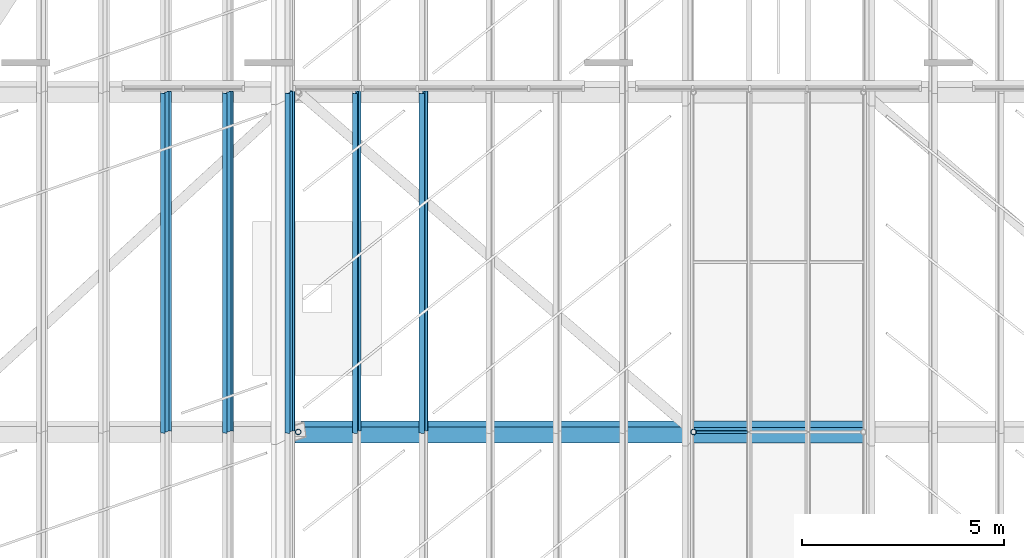
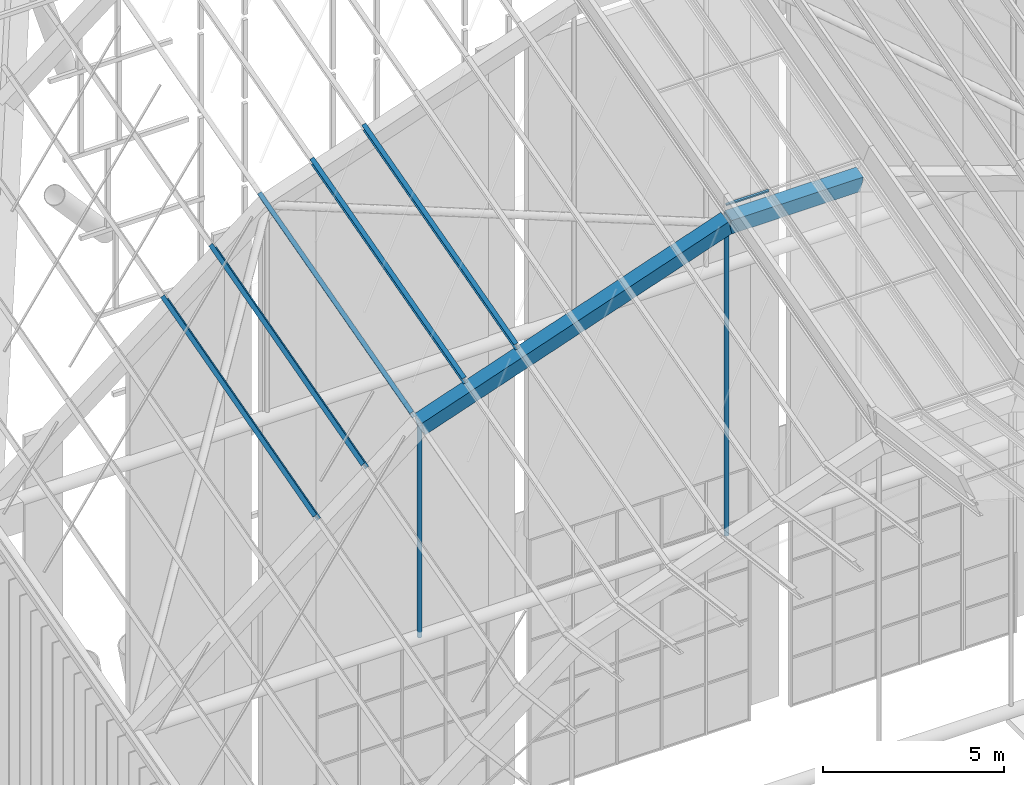
# One storey, part 52 of 126: 8 members, 2 beams.
"""IFC4 building model written with IfcOpenShell, lengths in metres."""

from ifc_helpers import new_model, si_unit, direction, frame, origin, origin_2d, place, context, subcontext, project, spatial, polyline, rectangle, hollow_circle, i_section, outline, extrude, material, material_profile, profile_set, type_object, element, save


model = new_model("IFC4")

# Units and contexts
model_context = context("Model", 3, precision=1e-05, world=origin(), true_north=direction((0.0, 1.0)))
body_context = subcontext(model_context, "Body", "Model", "MODEL_VIEW")
ifc_project = project(units=[si_unit("LENGTHUNIT", "METRE"), si_unit("AREAUNIT", "SQUARE_METRE"), si_unit("VOLUMEUNIT", "CUBIC_METRE"), si_unit("PLANEANGLEUNIT", "RADIAN"), si_unit("MASSUNIT", "GRAM", prefix="KILO")], contexts=[model_context])

# Site, building, storey
site_placement = place(None, origin())
site = spatial("IfcSite", under=ifc_project, at=site_placement, CompositionType="ELEMENT")
building_placement = place(site_placement, origin())
building = spatial("IfcBuilding", under=site, at=building_placement, Name="Sava Quay Ferry Terminal", CompositionType="ELEMENT")
storey_placement = place(building_placement, frame((0.0, 0.0, 15.0)))
storey = spatial("IfcBuildingStorey", under=building, at=storey_placement, Name="L03", CompositionType="ELEMENT", Elevation=15.0)

# Beams
ifc_material_1 = material(Name="Steel S355", Category="steel")
ifc_material_profile_1 = material_profile(ifc_material_1, outline(polyline([(-0.199951171875, -0.300048828125), (0.199951171875, -0.300048828125), (0.199951171875, 0.300048828125), (-0.199951171875, 0.300048828125), (-0.199951171875, -0.300048828125)]), holes=[polyline([(-0.175048828125, -0.27490234375), (-0.175048828125, 0.27490234375), (0.175048828125, 0.27490234375), (0.175048828125, -0.27490234375), (-0.175048828125, -0.27490234375)])]), Name="Box 600x400x25 built-up")
ifc_profile_set_1 = profile_set([ifc_material_profile_1], Name="Steel S355")
beam_type = type_object("IfcBeamType", Name="D folded rib Box 600x400x25", PredefinedType="BEAM", material=ifc_profile_set_1)
beam_1_placement = place(storey_placement, frame((51.1298828125, 92.39990234375, 20.460205078125), z_axis=(0.945520775213, 0.0, 0.325561766247), x_axis=(-0.081528715924, 0.968136073541, 0.236781780523)))
element("IfcBeam", 1, at=beam_1_placement, inside=storey, type_object=beam_type, Name="Departure hall folded rib R5 seg 2", PredefinedType="BEAM", context=body_context, shape_type="SweptSolid", body=[
    extrude(outline(polyline([(-0.199951171875, -0.300048828125), (0.199951171875, -0.300048828125), (0.199951171875, 0.300048828125), (-0.199951171875, 0.300048828125), (-0.199951171875, -0.300048828125)]), holes=[polyline([(-0.175048828125, -0.27490234375), (-0.175048828125, 0.27490234375), (0.175048828125, 0.27490234375), (0.175048828125, -0.27490234375), (-0.175048828125, -0.27490234375)])]), origin(), (0.0, 0.0, 1.0), 10.3330078125),
])
beam_2_placement = place(storey_placement, frame((60.89990234375, 92.39990234375, 23.82421875), z_axis=(1.0, 0.0, 0.0), x_axis=(0.0, 0.964556832817, 0.263875190699)))
element("IfcBeam", 2, at=beam_2_placement, inside=storey, type_object=beam_type, Name="Departure hall folded rib R5 seg 3", PredefinedType="BEAM", context=body_context, shape_type="SweptSolid", body=[
    extrude(outline(polyline([(-0.199951171875, -0.300048828125), (0.199951171875, -0.300048828125), (0.199951171875, 0.300048828125), (-0.199951171875, 0.300048828125), (-0.199951171875, -0.300048828125)]), holes=[polyline([(-0.175048828125, -0.27490234375), (-0.175048828125, 0.27490234375), (0.175048828125, 0.27490234375), (0.175048828125, -0.27490234375), (-0.175048828125, -0.27490234375)])]), origin(), (0.0, 0.0, 1.0), 4.2001953125),
])

# Members
ifc_material_2 = material(Name="Aluminium EN AW-6063 T6", Category="aluminium")
ifc_material_profile_2 = material_profile(ifc_material_2, rectangle(XDim=0.06005859375, YDim=0.06005859375, at=origin_2d()), Name="Bar 60 x 60")
ifc_profile_set_2 = profile_set([ifc_material_profile_2], Name="Aluminium EN AW-6063 T6")
member_type_1 = type_object("IfcMemberType", Name="Glazing bar 60x60", PredefinedType="USERDEFINED", material=ifc_profile_set_2)
member_1_placement = place(storey_placement, frame((60.883056640625, 92.39990234375, 24.4462890625), z_axis=(1.0, 0.0, 0.0), x_axis=(0.0, 0.964556832817, 0.263875190699)))
element("IfcMember", 3, at=member_1_placement, inside=storey, type_object=member_type_1, Name="Departure hall glazing bar D-R5-GT2.0", ObjectType="GLAZING BAR", PredefinedType="USERDEFINED", context=body_context, shape_type="SweptSolid", body=[
    extrude(rectangle(XDim=0.06005859375, YDim=0.06005859375, at=origin_2d()), origin(), (0.0, 0.0, 1.0), 1.3544921875),
])
ifc_material_3 = material(Name="Steel S355", Category="steel")
ifc_material_profile_3 = material_profile(ifc_material_3, i_section(OverallWidth=0.135009765625, OverallDepth=0.27001953125, WebThickness=0.006591796875, FlangeThickness=0.01025390625, at=origin_2d()), Name="IPE 270")
ifc_profile_set_3 = profile_set([ifc_material_profile_3], Name="Steel S355")
member_type_2 = type_object("IfcMemberType", Name="Roof purlin IPE 270", PredefinedType="PURLIN", material=ifc_profile_set_3)
for number, where, z_axis, x_axis, name in (
    (4, (47.86279296875, 92.39990234375, 18.47216796875), (0.0, 0.964555206992, 0.26388113359), (-0.798620025874, 0.158813052655, -0.580503633562), "Departure hall purlin bay 6 M0.4"),
    (5, (49.39404296875, 92.39990234375, 19.66845703125), (0.0, 0.964555206992, 0.26388113359), (-0.798620025874, 0.158813052655, -0.580503633562), "Departure hall purlin bay 6 M0.5"),
    (6, (50.92529296875, 92.39990234375, 20.86474609375), (0.0, 0.964555206992, 0.26388113359), (-0.885499005285, 0.122610065566, -0.448172158284), "Departure hall purlin bay 6 V1"),
    (7, (52.575927734375, 92.39990234375, 21.43310546875), (0.0, 0.964555206992, 0.26388113359), (-0.949027169883, 0.083173822518, -0.304022278908), "Departure hall purlin bay 6 M1.1"),
    (8, (54.2265625, 92.39990234375, 22.001708984375), (0.0, 0.964562342049, 0.263855051686), (-0.949027169883, 0.083165601651, -0.304024527837), "Departure hall purlin bay 6 M1.2"),
):
    element("IfcMember", number, at=place(storey_placement, frame(where, z_axis=z_axis, x_axis=x_axis)), inside=storey, type_object=member_type_2, Name=name, PredefinedType="PURLIN", context=body_context, shape_type="SweptSolid", body=[
        extrude(i_section(OverallWidth=0.135009765625, OverallDepth=0.27001953125, WebThickness=0.006591796875, FlangeThickness=0.01025390625, at=origin_2d()), origin(), (0.0, 0.0, 1.0), 8.708740234375),
    ])
ifc_material_4 = material(Name="Steel S355", Category="steel")
ifc_material_profile_4 = material_profile(ifc_material_4, hollow_circle(Radius=0.06982421875, WallThickness=0.008056640625, at=origin_2d()), Name="CHS 139.7 x 8.0")
ifc_profile_set_4 = profile_set([ifc_material_profile_4], Name="Steel S355")
member_type_3 = type_object("IfcMemberType", Name="Tie hanger CHS 139.7x8", PredefinedType="USERDEFINED", material=ifc_profile_set_4)
member_2_placement = place(storey_placement, frame((51.1298828125, 92.39990234375, 13.326904296875), z_axis=(0.0, 0.0, 1.0), x_axis=(1.0, 0.0, 0.0)))
element("IfcMember", 9, at=member_2_placement, inside=storey, type_object=member_type_3, Name="Departure hall tie hanger R5 V1", ObjectType="TIE HANGER", PredefinedType="USERDEFINED", context=body_context, shape_type="SweptSolid", body=[
    extrude(hollow_circle(Radius=0.06982421875, WallThickness=0.008056640625, at=origin_2d()), origin(), (0.0, 0.0, 1.0), 7.13330078125),
])
member_3_placement = place(storey_placement, frame((60.89990234375, 92.39990234375, 13.326904296875), z_axis=(0.0, 0.0, 1.0), x_axis=(1.0, 0.0, 0.0)))
element("IfcMember", 10, at=member_3_placement, inside=storey, type_object=member_type_3, Name="Departure hall tie hanger R5 V2", ObjectType="TIE HANGER", PredefinedType="USERDEFINED", context=body_context, shape_type="SweptSolid", body=[
    extrude(hollow_circle(Radius=0.06982421875, WallThickness=0.008056640625, at=origin_2d()), origin(), (0.0, 0.0, 1.0), 10.497314453125),
])

save(model, "model.ifc")
